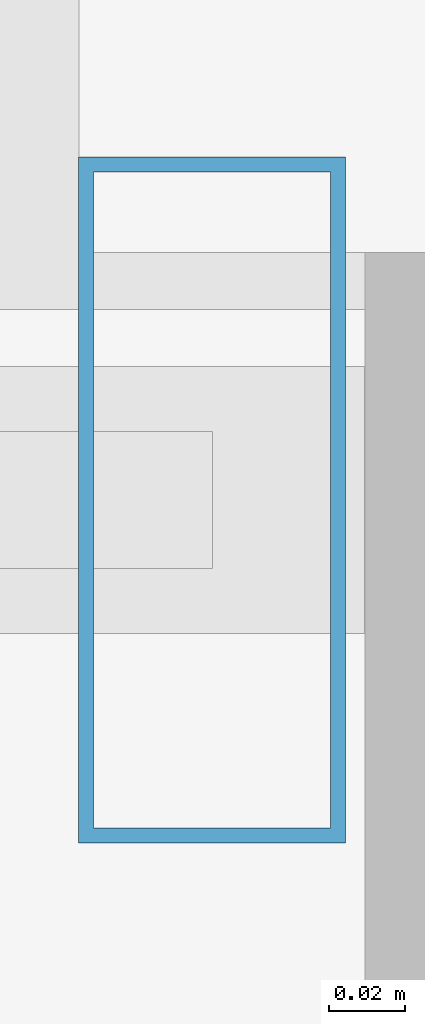
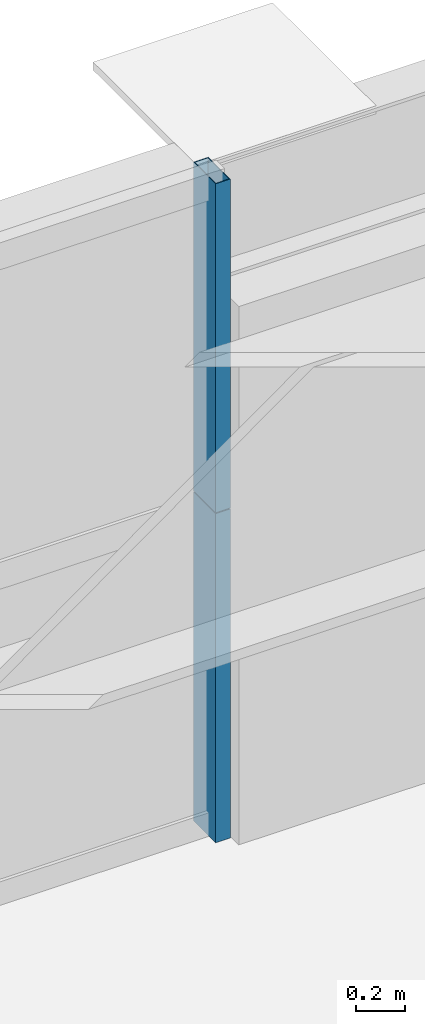
# One storey, part 39 of 45: 2 members, 1 element without a shape of its own.
"""IFC4 building model written with IfcOpenShell, lengths in metres."""

import ifcopenshell
import ifcopenshell.guid

model = None  # the IFC model being written
_history = None  # IfcOwnerHistory: only IFC2X3 demands one
_inside = {}  # id of a spatial element -> (the spatial element, [elements in it])
_under = {}  # id of a project, library or spatial element -> (it, [spatial elements below it])
_declared = {}  # id of a project -> (the project, [libraries it declares])
_typed = {}  # id of a type object -> (the type object, [elements of that type])
_made_of = {}  # id of a material, layer set ... -> (it, [elements and type objects made of it])


def new_model(schema):
    """Start an empty IFC model of exactly this schema.

    Asked for "IFC4X3", IfcOpenShell would pick the latest addendum, in which some entities
    have other attributes; the version numbers below select the first issue.
    IFC2X3 requires an IfcOwnerHistory on every rooted entity: one is made here for all.
    """
    global model, _history
    if schema == "IFC4X3":
        model = ifcopenshell.file(schema_version=(4, 3, 0, 0))
    else:
        model = ifcopenshell.file(schema=schema)
    _inside.clear()
    _under.clear()
    _declared.clear()
    _typed.clear()
    _made_of.clear()
    _history = None
    if model.schema == "IFC2X3":
        org = make("IfcOrganization", Name="unknown")
        user = make(
            "IfcPersonAndOrganization",
            ThePerson=make("IfcPerson", FamilyName="unknown"),
            TheOrganization=org,
        )
        app = make(
            "IfcApplication",
            ApplicationDeveloper=org,
            Version="unknown",
            ApplicationFullName="unknown",
            ApplicationIdentifier="unknown",
        )
        _history = make(
            "IfcOwnerHistory",
            OwningUser=user,
            OwningApplication=app,
            ChangeAction="ADDED",
            CreationDate=0,
        )
    return model


def make(cls, **values):
    """One entity of the class cls with the attributes given. An attribute that is None is left unset."""
    return model.create_entity(
        cls, **{name: value for name, value in values.items() if value is not None}
    )


def rooted(cls, **values):
    """An entity with a GlobalId (a new one), such as an element, a storey or a relation."""
    return make(cls, GlobalId=ifcopenshell.guid.new(), OwnerHistory=_history, **values)


def si_unit(unit_type, name, prefix=None):
    """IfcSIUnit, for example si_unit("LENGTHUNIT", "METRE", prefix="MILLI")."""
    return make("IfcSIUnit", UnitType=unit_type, Prefix=prefix, Name=name)


def assignment(units):
    """IfcUnitAssignment: the units of a project."""
    return None if units is None else make("IfcUnitAssignment", Units=units)


def point(xyz):
    """IfcCartesianPoint."""
    return None if xyz is None else make("IfcCartesianPoint", Coordinates=xyz)


def direction(xyz):
    """IfcDirection."""
    return None if xyz is None else make("IfcDirection", DirectionRatios=xyz)


def frame(location, z_axis=None, x_axis=None):
    """IfcAxis2Placement3D, a coordinate frame: its origin and axes. An axis left out is left unset."""
    return make(
        "IfcAxis2Placement3D",
        Location=point(location),
        Axis=direction(z_axis),
        RefDirection=direction(x_axis),
    )


def frame_2d(location, x_axis=None):
    """IfcAxis2Placement2D, a coordinate frame in the plane: its origin and x axis."""
    return make(
        "IfcAxis2Placement2D", Location=point(location), RefDirection=direction(x_axis)
    )


def origin():
    """The frame at (0, 0, 0) with its axes left unset."""
    return frame((0.0, 0.0, 0.0))


def origin_2d():
    """The frame at (0, 0) in the plane with its x axis left unset."""
    return frame_2d((0.0, 0.0))


def place(relative_to, where):
    """IfcLocalPlacement: puts the frame where relative to a parent placement (None: the world)."""
    return make(
        "IfcLocalPlacement", PlacementRelTo=relative_to, RelativePlacement=where
    )


def context(
    kind, dimensions, precision=None, world=None, true_north=None, identifier=None
):
    """IfcGeometricRepresentationContext, for example the 3D "Model" context."""
    return make(
        "IfcGeometricRepresentationContext",
        ContextIdentifier=identifier,
        ContextType=kind,
        CoordinateSpaceDimension=dimensions,
        Precision=precision,
        WorldCoordinateSystem=world,
        TrueNorth=true_north,
    )


def subcontext(parent, identifier, kind, view, scale=None):
    """IfcGeometricRepresentationSubContext, for example "Body" below "Model"."""
    return make(
        "IfcGeometricRepresentationSubContext",
        ContextIdentifier=identifier,
        ContextType=kind,
        ParentContext=parent,
        TargetScale=scale,
        TargetView=view,
    )


def project(units=None, contexts=None):
    """IfcProject with its units and contexts."""
    return rooted(
        "IfcProject",
        Name="project",
        RepresentationContexts=contexts,
        UnitsInContext=assignment(units),
    )


def spatial(cls, under=None, at=None, **own):
    """A site, building, storey or space (cls), placed at a placement, below another one or the project."""
    s = rooted(cls, ObjectPlacement=at, **own)
    if under is not None:
        _under.setdefault(under.id(), (under, []))[1].append(s)
    return s


def profile(cls, at=None, kind="AREA", **sizes):
    """A parametric profile (cls). Its sizes go by their IFC names, for example OverallWidth=200.0."""
    return make(cls, ProfileType=kind, Position=at, **sizes)


def hollow_rectangle(**sizes):
    """IfcRectangleHollowProfileDef."""
    return profile("IfcRectangleHollowProfileDef", **sizes)


def extrude(swept, where, along, depth):
    """IfcExtrudedAreaSolid: the profile swept, set in the frame where, extruded along a direction by depth."""
    return make(
        "IfcExtrudedAreaSolid",
        SweptArea=swept,
        Position=where,
        ExtrudedDirection=direction(along),
        Depth=depth,
    )


def shape(context_of_items, identifier, shape_type, items):
    """IfcShapeRepresentation: the items that make up one representation, for example the "Body"."""
    return make(
        "IfcShapeRepresentation",
        ContextOfItems=context_of_items,
        RepresentationIdentifier=identifier,
        RepresentationType=shape_type,
        Items=items,
    )


def source(mapping_origin, context_of_items, identifier, shape_type, items):
    """IfcRepresentationMap: a shape defined once, which mapped items show again and again."""
    return make(
        "IfcRepresentationMap",
        MappingOrigin=mapping_origin,
        MappedRepresentation=shape(context_of_items, identifier, shape_type, items),
    )


def transform(
    local_origin,
    x_axis=None,
    y_axis=None,
    z_axis=None,
    scale=None,
    scale2=None,
    scale3=None,
    uniform=True,
):
    """IfcCartesianTransformationOperator3D, or its non-uniform kind. x_axis, y_axis, z_axis: its Axis1, 2, 3."""
    if uniform:
        return make(
            "IfcCartesianTransformationOperator3D",
            Axis1=direction(x_axis),
            Axis2=direction(y_axis),
            LocalOrigin=point(local_origin),
            Scale=scale,
            Axis3=direction(z_axis),
        )
    return make(
        "IfcCartesianTransformationOperator3DnonUniform",
        Axis1=direction(x_axis),
        Axis2=direction(y_axis),
        LocalOrigin=point(local_origin),
        Scale=scale,
        Axis3=direction(z_axis),
        Scale2=scale2,
        Scale3=scale3,
    )


def mapped(mapping_source, mapping_target):
    """IfcMappedItem: shows the shape of a source again, moved by a transform."""
    return make(
        "IfcMappedItem", MappingSource=mapping_source, MappingTarget=mapping_target
    )


def material(Name=None, Category=None):
    """IfcMaterial."""
    return make("IfcMaterial", Name=Name, Category=Category)


def layer(
    of_material, thickness, ventilated=None, Name=None, Category=None, Priority=None
):
    """IfcMaterialLayer: one layer of a wall or slab, of a material (None: an air gap)."""
    return make(
        "IfcMaterialLayer",
        Material=of_material,
        LayerThickness=thickness,
        IsVentilated=ventilated,
        Name=Name,
        Category=Category,
        Priority=Priority,
    )


def layer_set(layers, Name=None):
    """IfcMaterialLayerSet."""
    return make("IfcMaterialLayerSet", MaterialLayers=layers, LayerSetName=Name)


def material_profile(
    of_material, cross_section, Name=None, Category=None, Priority=None
):
    """IfcMaterialProfile: a cross section and its material."""
    return make(
        "IfcMaterialProfile",
        Name=Name,
        Material=of_material,
        Profile=cross_section,
        Priority=Priority,
        Category=Category,
    )


def profile_set(profiles, Name=None, composite=None):
    """IfcMaterialProfileSet."""
    return make(
        "IfcMaterialProfileSet",
        Name=Name,
        MaterialProfiles=profiles,
        CompositeProfile=composite,
    )


def made_of(thing, what):
    """Note that an element or type object is made of a material, layer set ...; save() writes the relation."""
    if what is not None:
        _made_of.setdefault(what.id(), (what, []))[1].append(thing)
    return thing


def type_object(cls, material=None, **own):
    """A type object (cls), such as IfcWallType, which elements share."""
    return made_of(rooted(cls, **own), material)


def element(
    cls,
    number,
    at=None,
    inside=None,
    cuts=None,
    type_object=None,
    material=None,
    context=None,
    identifier="Body",
    shape_type=None,
    held_by="IfcProductDefinitionShape",
    body=None,
    shapes=None,
    **own,
):
    """One element of the class cls, such as IfcWall. Its Tag is "e" and its number.

    at: its placement. inside: the storey or other place that contains it. cuts: it is an
    opening in that element (IfcRelVoidsElement). A single representation is given by context,
    identifier, shape_type and body (its items); several are given by shapes. held_by: the class
    of the entity that holds the representations. save() writes the other relations.
    """
    e = rooted(cls, Tag="e%d" % number, ObjectPlacement=at, **own)
    if body is not None:
        shapes = [shape(context, identifier, shape_type, body)]
    if shapes is not None:
        e.Representation = make(held_by, Representations=shapes)
    if inside is not None:
        _inside.setdefault(inside.id(), (inside, []))[1].append(e)
    if cuts is not None:
        rooted(
            "IfcRelVoidsElement", RelatingBuildingElement=cuts, RelatedOpeningElement=e
        )
    if type_object is not None:
        _typed.setdefault(type_object.id(), (type_object, []))[1].append(e)
    return made_of(e, material)


def aggregate(whole, parts):
    """IfcRelAggregates: a whole, such as a stair, and the parts it consists of."""
    return rooted("IfcRelAggregates", RelatingObject=whole, RelatedObjects=parts)


def save(model, path):
    """Write the relations noted so far, then the file.

    IfcRelAggregates (storeys below a building ...), IfcRelContainedInSpatialStructure (elements
    in a storey), IfcRelDefinesByType, IfcRelAssociatesMaterial and IfcRelDeclares: one each for
    every whole, place, type object, material and project.
    """
    for whole, parts in _under.values():
        aggregate(whole, parts)
    for where, things in _inside.values():
        rooted(
            "IfcRelContainedInSpatialStructure",
            RelatedElements=things,
            RelatingStructure=where,
        )
    for kind, things in _typed.values():
        rooted("IfcRelDefinesByType", RelatedObjects=things, RelatingType=kind)
    for what, things in _made_of.values():
        rooted("IfcRelAssociatesMaterial", RelatedObjects=things, RelatingMaterial=what)
    for by, libraries in _declared.values():
        rooted("IfcRelDeclares", RelatingContext=by, RelatedDefinitions=libraries)
    model.write(path)


model = new_model("IFC4")

# Units and contexts
model_context = context("Model", 3, precision=1e-05, world=origin(), true_north=direction((0.0, 1.0)))
body_context = subcontext(model_context, "Body", "Model", "MODEL_VIEW")
ifc_project = project(units=[si_unit("LENGTHUNIT", "METRE"), si_unit("AREAUNIT", "SQUARE_METRE"), si_unit("VOLUMEUNIT", "CUBIC_METRE"), si_unit("PLANEANGLEUNIT", "RADIAN"), si_unit("MASSUNIT", "GRAM", prefix="KILO"), si_unit("THERMODYNAMICTEMPERATUREUNIT", "KELVIN"), si_unit("POWERUNIT", "WATT")], contexts=[model_context])

# Site, building, storey
site_placement = place(None, origin())
site = spatial("IfcSite", under=ifc_project, at=site_placement, CompositionType="ELEMENT")
building_placement = place(site_placement, origin())
building = spatial("IfcBuilding", under=site, at=building_placement, Name="Yuzanri Waterfront Tower", CompositionType="ELEMENT")
storey_placement = place(building_placement, frame((0.0, 0.0, 163.199951171875)))
storey = spatial("IfcBuildingStorey", under=building, at=storey_placement, Name="L43", CompositionType="ELEMENT", Elevation=163.199951171875)

# Curtain wall, members
ifc_material_1 = material(Name="Anodized Architectural Bronze", Category="metal")
ifc_layer = layer(ifc_material_1, 0.159912109375)
ifc_layer_set = layer_set([ifc_layer], Name="Anodized Architectural Bronze")
curtain_wall_type = type_object("IfcCurtainWallType", Name="Anodized Bronze Hotel Upper-Tier Solar-Control Unitized Curtain Wall 7800", PredefinedType="NOTDEFINED", material=ifc_layer_set)
curtain_wall_placement = place(storey_placement, origin())
curtain_wall = element("IfcCurtainWall", 1, at=curtain_wall_placement, inside=storey, type_object=curtain_wall_type, Name="L43 Curtain Wall CW-L43-NR", PredefinedType="NOTDEFINED")
ifc_material_2 = material(Name="Anodized Architectural Bronze", Category="metal")
ifc_material_profile = material_profile(ifc_material_2, hollow_rectangle(XDim=0.070068359375, YDim=0.179931640625, WallThickness=0.00390625, at=origin_2d()), Name="CWM 70x180")
ifc_profile_set = profile_set([ifc_material_profile], Name="Anodized Architectural Bronze")
member_type = type_object("IfcMemberType", Name="Anodized Bronze Standard Curtain-Wall Mullion 70x180", PredefinedType="MULLION", material=ifc_profile_set)
shared_shape = source(origin(), body_context, "Body", "SweptSolid", [
    extrude(hollow_rectangle(XDim=0.070068359375, YDim=0.179931640625, WallThickness=0.00390625, at=origin_2d()), origin(), (0.0, 0.0, 1.0), 1.64794921875),
])
member_1_placement = place(storey_placement, frame((53.2099609375, 49.25, 0.0), z_axis=(0.0, 0.0, 1.0), x_axis=(1.0, 0.0, 0.0)))
member_1 = element("IfcMember", 2, at=member_1_placement, type_object=member_type, Name="CW-L43-NR Lower Mullion 02", PredefinedType="MULLION", context=body_context, shape_type="MappedRepresentation", body=[
    mapped(shared_shape, transform((0.0, 0.0, 0.0), scale=1.0)),
])
member_2_placement = place(storey_placement, frame((53.2099609375, 49.25, 1.652099609375), z_axis=(0.0, 0.0, 1.0), x_axis=(1.0, 0.0, 0.0)))
member_2 = element("IfcMember", 3, at=member_2_placement, type_object=member_type, Name="CW-L43-NR Upper Mullion 02", PredefinedType="MULLION", context=body_context, shape_type="MappedRepresentation", body=[
    mapped(shared_shape, transform((0.0, 0.0, 0.0), scale=1.0)),
])
aggregate(curtain_wall, [member_1, member_2])

save(model, "model.ifc")
